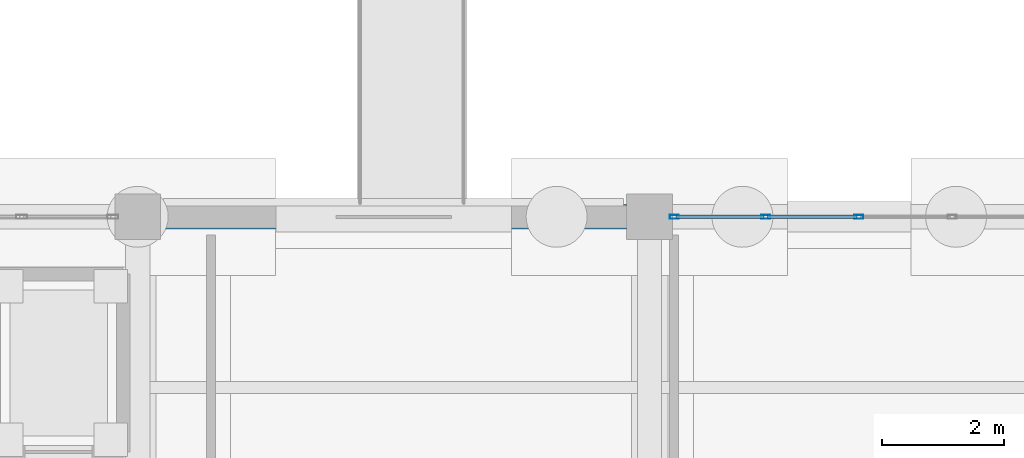
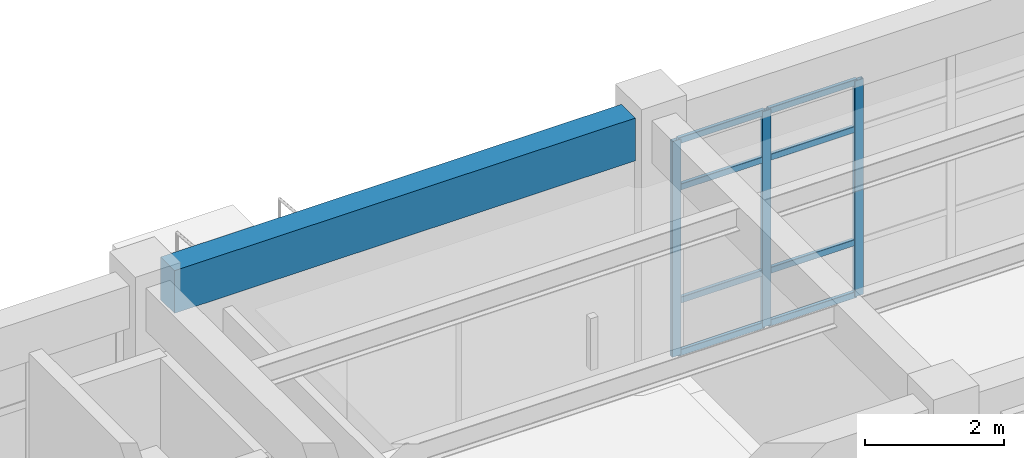
# One storey, part 11 of 29: 11 members, 1 beam, 1 element without a shape of its own.
"""IFC4 building model written with IfcOpenShell, lengths in metres."""

from ifc_helpers import new_model, si_unit, direction, frame, origin, origin_2d, place, context, subcontext, project, spatial, rectangle, hollow_rectangle, extrude, material, material_profile, profile_set, type_object, element, aggregate, save


model = new_model("IFC4")

# Units and contexts
model_context = context("Model", 3, precision=1e-05, world=origin(), true_north=direction((0.0, 1.0)))
body_context = subcontext(model_context, "Body", "Model", "MODEL_VIEW")
ifc_project = project(units=[si_unit("LENGTHUNIT", "METRE"), si_unit("AREAUNIT", "SQUARE_METRE"), si_unit("VOLUMEUNIT", "CUBIC_METRE"), si_unit("PLANEANGLEUNIT", "RADIAN"), si_unit("MASSUNIT", "GRAM", prefix="KILO")], contexts=[model_context])

# Site, building, storey
site_placement = place(None, origin())
site = spatial("IfcSite", under=ifc_project, at=site_placement, CompositionType="ELEMENT")
building_placement = place(site_placement, origin())
building = spatial("IfcBuilding", under=site, at=building_placement, Name="Canglan Escarpment Cableway Terminal", CompositionType="ELEMENT")
storey_placement = place(building_placement, origin())
storey = spatial("IfcBuildingStorey", under=building, at=storey_placement, Name="L00", CompositionType="ELEMENT", Elevation=0.0)

# Curtain wall, members
ifc_material_1 = material(Name="Anodized bronze aluminium and Low-E double glazing", Category="aluminium")
curtain_wall_type = type_object("IfcCurtainWallType", Name="CW-BAY-7650x3775", PredefinedType="NOTDEFINED", material=ifc_material_1)
curtain_wall_placement = place(storey_placement, origin())
curtain_wall = element("IfcCurtainWall", 1, at=curtain_wall_placement, inside=storey, type_object=curtain_wall_type, Name="Classical bay-between-piers glazed curtain wall CW-03", PredefinedType="NOTDEFINED")
ifc_material_2 = material(Name="Thermally broken anodized aluminium 6063-T6", Category="aluminium")
ifc_material_profile_1 = material_profile(ifc_material_2, hollow_rectangle(XDim=0.06494140625, YDim=0.14990234375, WallThickness=0.00341796875, InnerFilletRadius=0.00341796875, OuterFilletRadius=0.007080078125, at=origin_2d()), Name="ALU-MULL 65x150x3.5")
ifc_profile_set_1 = profile_set([ifc_material_profile_1], Name="Thermally broken anodized aluminium 6063-T6")
member_type_1 = type_object("IfcMemberType", Name="CWM-02", PredefinedType="MULLION", material=ifc_profile_set_1)
member_1_placement = place(storey_placement, frame((71.135009765625, 24.800048828125, 0.0), z_axis=(0.0, 0.0, 1.0), x_axis=(0.0, -1.0, 0.0)))
member_1 = element("IfcMember", 2, at=member_1_placement, type_object=member_type_1, Name="CW-03 mullion 4", PredefinedType="MULLION", context=body_context, shape_type="SweptSolid", body=[
    extrude(hollow_rectangle(XDim=0.06494140625, YDim=0.14990234375, WallThickness=0.00341796875, InnerFilletRadius=0.00341796875, OuterFilletRadius=0.007080078125, at=origin_2d()), origin(), (0.0, 0.0, 1.0), 3.784912109375),
])
member_2_placement = place(storey_placement, frame((69.60498046875, 24.800048828125, 0.0), z_axis=(0.0, 0.0, 1.0), x_axis=(0.0, -1.0, 0.0)))
member_2 = element("IfcMember", 3, at=member_2_placement, type_object=member_type_1, Name="CW-03 mullion 5", PredefinedType="MULLION", context=body_context, shape_type="SweptSolid", body=[
    extrude(hollow_rectangle(XDim=0.06494140625, YDim=0.14990234375, WallThickness=0.00341796875, InnerFilletRadius=0.00341796875, OuterFilletRadius=0.007080078125, at=origin_2d()), origin(), (0.0, 0.0, 1.0), 3.784912109375),
])
member_3_placement = place(storey_placement, frame((68.107421875, 24.800048828125, 0.0), z_axis=(0.0, 0.0, 1.0), x_axis=(0.0, -1.0, 0.0)))
member_3 = element("IfcMember", 4, at=member_3_placement, type_object=member_type_1, Name="CW-03 mullion 6", PredefinedType="MULLION", context=body_context, shape_type="SweptSolid", body=[
    extrude(hollow_rectangle(XDim=0.06494140625, YDim=0.14990234375, WallThickness=0.00341796875, InnerFilletRadius=0.00341796875, OuterFilletRadius=0.007080078125, at=origin_2d()), origin(), (0.0, 0.0, 1.0), 3.784912109375),
])
ifc_material_profile_2 = material_profile(ifc_material_2, hollow_rectangle(XDim=0.06005859375, YDim=0.110107421875, WallThickness=0.0029296875, InnerFilletRadius=0.0029296875, OuterFilletRadius=0.006103515625, at=origin_2d()), Name="ALU-TRAN 60x110x3")
ifc_profile_set_2 = profile_set([ifc_material_profile_2], Name="Thermally broken anodized aluminium 6063-T6")
member_type_2 = type_object("IfcMemberType", Name="CWT-02", PredefinedType="USERDEFINED", material=ifc_profile_set_2)
member_4_placement = place(storey_placement, frame((71.1025390625, 24.800048828125, 0.030029296875), z_axis=(-1.0, 0.0, 0.0), x_axis=(0.0, -1.0, 0.0)))
member_4 = element("IfcMember", 5, at=member_4_placement, type_object=member_type_2, Name="CW-03 transom 4.1", ObjectType="TRANSOM", PredefinedType="USERDEFINED", context=body_context, shape_type="SweptSolid", body=[
    extrude(hollow_rectangle(XDim=0.06005859375, YDim=0.110107421875, WallThickness=0.0029296875, InnerFilletRadius=0.0029296875, OuterFilletRadius=0.006103515625, at=origin_2d()), origin(), (0.0, 0.0, 1.0), 1.465087890625),
])
member_5_placement = place(storey_placement, frame((71.1025390625, 24.800048828125, 0.949951171875), z_axis=(-1.0, 0.0, 0.0), x_axis=(0.0, -1.0, 0.0)))
member_5 = element("IfcMember", 6, at=member_5_placement, type_object=member_type_2, Name="CW-03 transom 4.2", ObjectType="TRANSOM", PredefinedType="USERDEFINED", context=body_context, shape_type="SweptSolid", body=[
    extrude(hollow_rectangle(XDim=0.06005859375, YDim=0.110107421875, WallThickness=0.0029296875, InnerFilletRadius=0.0029296875, OuterFilletRadius=0.006103515625, at=origin_2d()), origin(), (0.0, 0.0, 1.0), 1.465087890625),
])
member_6_placement = place(storey_placement, frame((71.1025390625, 24.800048828125, 2.93505859375), z_axis=(-1.0, 0.0, 0.0), x_axis=(0.0, -1.0, 0.0)))
member_6 = element("IfcMember", 7, at=member_6_placement, type_object=member_type_2, Name="CW-03 transom 4.3", ObjectType="TRANSOM", PredefinedType="USERDEFINED", context=body_context, shape_type="SweptSolid", body=[
    extrude(hollow_rectangle(XDim=0.06005859375, YDim=0.110107421875, WallThickness=0.0029296875, InnerFilletRadius=0.0029296875, OuterFilletRadius=0.006103515625, at=origin_2d()), origin(), (0.0, 0.0, 1.0), 1.465087890625),
])
member_7_placement = place(storey_placement, frame((71.1025390625, 24.800048828125, 3.7548828125), z_axis=(-1.0, 0.0, 0.0), x_axis=(0.0, -1.0, 0.0)))
member_7 = element("IfcMember", 8, at=member_7_placement, type_object=member_type_2, Name="CW-03 transom 4.4", ObjectType="TRANSOM", PredefinedType="USERDEFINED", context=body_context, shape_type="SweptSolid", body=[
    extrude(hollow_rectangle(XDim=0.06005859375, YDim=0.110107421875, WallThickness=0.0029296875, InnerFilletRadius=0.0029296875, OuterFilletRadius=0.006103515625, at=origin_2d()), origin(), (0.0, 0.0, 1.0), 1.465087890625),
])
member_8_placement = place(storey_placement, frame((69.572509765625, 24.800048828125, 0.030029296875), z_axis=(-1.0, 0.0, 0.0), x_axis=(0.0, -1.0, 0.0)))
member_8 = element("IfcMember", 9, at=member_8_placement, type_object=member_type_2, Name="CW-03 transom 5.1", ObjectType="TRANSOM", PredefinedType="USERDEFINED", context=body_context, shape_type="SweptSolid", body=[
    extrude(hollow_rectangle(XDim=0.06005859375, YDim=0.110107421875, WallThickness=0.0029296875, InnerFilletRadius=0.0029296875, OuterFilletRadius=0.006103515625, at=origin_2d()), origin(), (0.0, 0.0, 1.0), 1.4326171875),
])
member_9_placement = place(storey_placement, frame((69.572509765625, 24.800048828125, 0.949951171875), z_axis=(-1.0, 0.0, 0.0), x_axis=(0.0, -1.0, 0.0)))
member_9 = element("IfcMember", 10, at=member_9_placement, type_object=member_type_2, Name="CW-03 transom 5.2", ObjectType="TRANSOM", PredefinedType="USERDEFINED", context=body_context, shape_type="SweptSolid", body=[
    extrude(hollow_rectangle(XDim=0.06005859375, YDim=0.110107421875, WallThickness=0.0029296875, InnerFilletRadius=0.0029296875, OuterFilletRadius=0.006103515625, at=origin_2d()), origin(), (0.0, 0.0, 1.0), 1.4326171875),
])
member_10_placement = place(storey_placement, frame((69.572509765625, 24.800048828125, 2.93505859375), z_axis=(-1.0, 0.0, 0.0), x_axis=(0.0, -1.0, 0.0)))
member_10 = element("IfcMember", 11, at=member_10_placement, type_object=member_type_2, Name="CW-03 transom 5.3", ObjectType="TRANSOM", PredefinedType="USERDEFINED", context=body_context, shape_type="SweptSolid", body=[
    extrude(hollow_rectangle(XDim=0.06005859375, YDim=0.110107421875, WallThickness=0.0029296875, InnerFilletRadius=0.0029296875, OuterFilletRadius=0.006103515625, at=origin_2d()), origin(), (0.0, 0.0, 1.0), 1.4326171875),
])
member_11_placement = place(storey_placement, frame((69.572509765625, 24.800048828125, 3.7548828125), z_axis=(-1.0, 0.0, 0.0), x_axis=(0.0, -1.0, 0.0)))
member_11 = element("IfcMember", 12, at=member_11_placement, type_object=member_type_2, Name="CW-03 transom 5.4", ObjectType="TRANSOM", PredefinedType="USERDEFINED", context=body_context, shape_type="SweptSolid", body=[
    extrude(hollow_rectangle(XDim=0.06005859375, YDim=0.110107421875, WallThickness=0.0029296875, InnerFilletRadius=0.0029296875, OuterFilletRadius=0.006103515625, at=origin_2d()), origin(), (0.0, 0.0, 1.0), 1.4326171875),
])
aggregate(curtain_wall, [member_1, member_2, member_3, member_4, member_5, member_6, member_7, member_8, member_9, member_10, member_11])

# Beam
ifc_material_3 = material(Name="Concrete C40", Category="concrete")
ifc_material_profile_3 = material_profile(ifc_material_3, rectangle(XDim=0.39990234375, YDim=0.75, at=origin_2d()), Name="RC 400x750")
ifc_profile_set_3 = profile_set([ifc_material_profile_3], Name="Concrete C40")
beam_type = type_object("IfcBeamType", Name="SP-RC400x750", PredefinedType="SPANDREL", material=ifc_profile_set_3)
beam_placement = place(storey_placement, frame((59.675048828125, 24.800048828125, 4.175048828125), z_axis=(1.0, 0.0, 0.0), x_axis=(0.0, 1.0, 0.0)))
element("IfcBeam", 13, at=beam_placement, inside=storey, type_object=beam_type, Name="Primary structural girder SP-01", PredefinedType="SPANDREL", context=body_context, shape_type="SweptSolid", body=[
    extrude(rectangle(XDim=0.39990234375, YDim=0.75, at=origin_2d()), origin(), (0.0, 0.0, 1.0), 7.64990234375),
])

save(model, "model.ifc")
